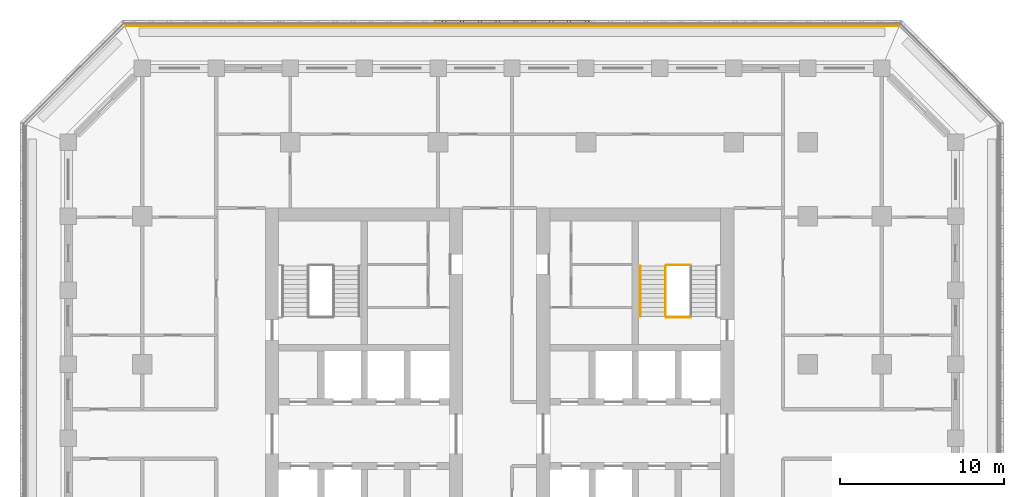
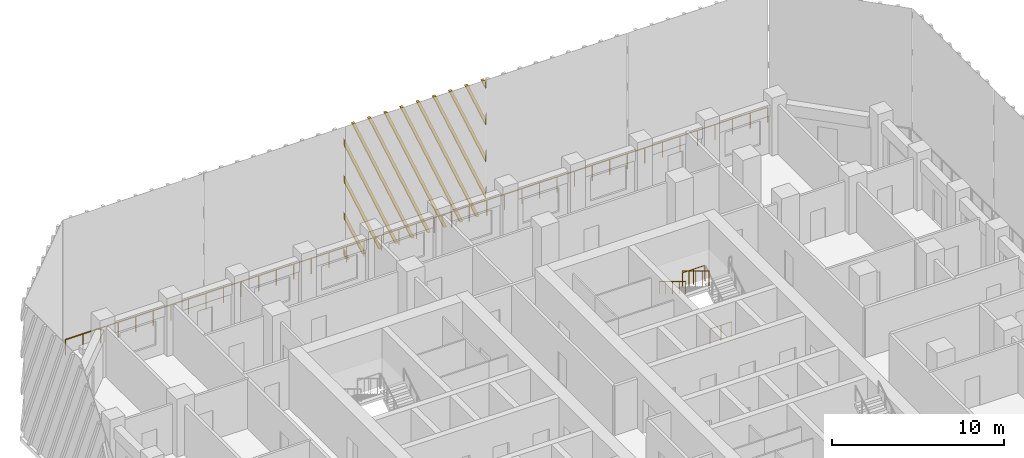
# One storey, part 15 of 17: 5 railings, 1 shading device.
"""IFC4 building model written with IfcOpenShell, lengths in metres."""

from ifc_helpers import new_model, si_unit, direction, frame, origin, origin_2d, place, context, subcontext, project, spatial, polyline, circle, outline, extrude, source, transform, mapped, material, type_object, element, save


model = new_model("IFC4")

# Units and contexts
model_context = context("Model", 3, precision=1e-05, world=origin(), true_north=direction((0.0, 1.0)))
body_context = subcontext(model_context, "Body", "Model", "MODEL_VIEW")
ifc_project = project(units=[si_unit("LENGTHUNIT", "METRE"), si_unit("AREAUNIT", "SQUARE_METRE"), si_unit("VOLUMEUNIT", "CUBIC_METRE"), si_unit("PLANEANGLEUNIT", "RADIAN"), si_unit("MASSUNIT", "GRAM", prefix="KILO")], contexts=[model_context])

# Site, building, storey
site_placement = place(None, origin())
site = spatial("IfcSite", under=ifc_project, at=site_placement, CompositionType="ELEMENT")
building_placement = place(site_placement, origin())
building = spatial("IfcBuilding", under=site, at=building_placement, Name="Corbel Stack Research Tower", CompositionType="ELEMENT")
storey_placement = place(building_placement, frame((0.0, 0.0, 216.10009765625)))
storey = spatial("IfcBuildingStorey", under=building, at=storey_placement, Name="L49", CompositionType="ELEMENT", Elevation=216.10009765625)

# Railings
ifc_material_1 = material(Name="Steel S355", Category="steel")
railing_type_1 = type_object("IfcRailingType", Name="Stair guard 1100", PredefinedType="GUARDRAIL", material=ifc_material_1)
railing_1_placement = place(storey_placement, frame((15.35009765625, 15.030029296875, 2.0498046875)))
element("IfcRailing", 1, at=railing_1_placement, inside=storey, type_object=railing_type_1, Name="L49 ST-E2 stair guard 2", PredefinedType="GUARDRAIL", context=body_context, shape_type="SweptSolid", body=[
    extrude(circle(Radius=0.02392578125, at=origin_2d()), frame((0.0, 0.0, 1.076171875), z_axis=(-1.0, 0.0, 0.0), x_axis=(0.0, -1.0, 0.0)), (0.0, 0.0, 1.0), 1.4501953125),
    extrude(circle(Radius=0.02099609375, at=origin_2d()), origin(), (0.0, 0.0, 1.0), 1.052001953125),
    extrude(circle(Radius=0.02099609375, at=origin_2d()), frame((-0.72509765625, 0.0, 0.0)), (0.0, 0.0, 1.0), 1.052001953125),
    extrude(circle(Radius=0.02099609375, at=origin_2d()), frame((-1.4501953125, 0.0, 0.0)), (0.0, 0.0, 1.0), 1.052001953125),
])
railing_2_placement = place(storey_placement, frame((13.85009765625, 14.97998046875, 2.220703125)))
element("IfcRailing", 2, at=railing_2_placement, inside=storey, type_object=railing_type_1, Name="L49 ST-E2 stair guard 4", PredefinedType="GUARDRAIL", context=body_context, shape_type="SweptSolid", body=[
    extrude(circle(Radius=0.02392578125, at=origin_2d()), frame((0.0, 0.0, 1.076171875), z_axis=(0.0, -0.853666305674, 0.52082035152), x_axis=(1.0, 0.0, 0.0)), (0.0, 0.0, 1.0), 3.608154296875),
    extrude(circle(Radius=0.02099609375, at=origin_2d()), origin(), (0.0, 0.0, 1.0), 1.052001953125),
    extrude(circle(Radius=0.02099609375, at=origin_2d()), frame((0.0, -0.77001953125, 0.4697265625)), (0.0, 0.0, 1.0), 1.052001953125),
    extrude(circle(Radius=0.02099609375, at=origin_2d()), frame((0.0, -1.5400390625, 0.939453125)), (0.0, 0.0, 1.0), 1.052001953125),
    extrude(circle(Radius=0.02099609375, at=origin_2d()), frame((0.0, -2.31005859375, 1.409423828125)), (0.0, 0.0, 1.0), 1.052001953125),
    extrude(circle(Radius=0.02099609375, at=origin_2d()), frame((0.0, -3.080078125, 1.879150390625)), (0.0, 0.0, 1.0), 1.052001953125),
])
railing_3_placement = place(storey_placement, frame((15.35009765625, 11.85009765625, 0.0)))
element("IfcRailing", 3, at=railing_3_placement, inside=storey, type_object=railing_type_1, Name="L49 ST-E2 stair guard 5", PredefinedType="GUARDRAIL", context=body_context, shape_type="SweptSolid", body=[
    extrude(circle(Radius=0.02392578125, at=origin_2d()), frame((0.0, 0.0, 1.076171875), z_axis=(-1.0, 0.0, 0.0), x_axis=(0.0, -1.0, 0.0)), (0.0, 0.0, 1.0), 1.4501953125),
    extrude(circle(Radius=0.02099609375, at=origin_2d()), origin(), (0.0, 0.0, 1.0), 1.052001953125),
    extrude(circle(Radius=0.02099609375, at=origin_2d()), frame((-0.72509765625, 0.0, 0.0)), (0.0, 0.0, 1.0), 1.052001953125),
    extrude(circle(Radius=0.02099609375, at=origin_2d()), frame((-1.4501953125, 0.0, 0.0)), (0.0, 0.0, 1.0), 1.052001953125),
])
ifc_material_2 = material(Name="Steel S355", Category="steel")
railing_type_2 = type_object("IfcRailingType", Name="Stair handrail 900", PredefinedType="HANDRAIL", material=ifc_material_2)
railing_4_placement = place(storey_placement, frame((12.300048828125, 14.97998046875, 2.220703125)))
element("IfcRailing", 4, at=railing_4_placement, inside=storey, type_object=railing_type_2, Name="L49 ST-E2 stair handrail 2", PredefinedType="HANDRAIL", context=body_context, shape_type="SweptSolid", body=[
    extrude(circle(Radius=0.02392578125, at=origin_2d()), frame((0.0, 0.0, 0.8759765625), z_axis=(0.0, -0.853666305674, 0.52082035152), x_axis=(1.0, 0.0, 0.0)), (0.0, 0.0, 1.0), 3.608154296875),
    extrude(circle(Radius=0.02099609375, at=origin_2d()), origin(), (0.0, 0.0, 1.0), 0.851806640625),
    extrude(circle(Radius=0.02099609375, at=origin_2d()), frame((0.0, -0.77001953125, 0.4697265625)), (0.0, 0.0, 1.0), 0.851806640625),
    extrude(circle(Radius=0.02099609375, at=origin_2d()), frame((0.0, -1.5400390625, 0.939453125)), (0.0, 0.0, 1.0), 0.851806640625),
    extrude(circle(Radius=0.02099609375, at=origin_2d()), frame((0.0, -2.31005859375, 1.409423828125)), (0.0, 0.0, 1.0), 0.851806640625),
    extrude(circle(Radius=0.02099609375, at=origin_2d()), frame((0.0, -3.080078125, 1.879150390625)), (0.0, 0.0, 1.0), 0.851806640625),
])
ifc_material_3 = material(Name="Powder-coated steel guard", Category="steel")
railing_type_3 = type_object("IfcRailingType", Name="Steel and glass guard 1100", PredefinedType="GUARDRAIL", material=ifc_material_3)
railing_5_placement = place(storey_placement, frame((28.00537109375, 29.60009765625, 0.0)))
element("IfcRailing", 5, at=railing_5_placement, inside=storey, type_object=railing_type_3, Name="Loggia guard L49 N", PredefinedType="GUARDRAIL", context=body_context, shape_type="SweptSolid", body=[
    extrude(circle(Radius=0.02392578125, at=origin_2d()), frame((0.0, 0.0, 1.076171875), z_axis=(-1.0, 0.0, 0.0), x_axis=(0.0, -1.0, 0.0)), (0.0, 0.0, 1.0), 47.0107421875),
    extrude(circle(Radius=0.02099609375, at=origin_2d()), origin(), (0.0, 0.0, 1.0), 1.052001953125),
    extrude(circle(Radius=0.02099609375, at=origin_2d()), frame((-1.17529296875, 0.0, 0.0)), (0.0, 0.0, 1.0), 1.052001953125),
    extrude(circle(Radius=0.02099609375, at=origin_2d()), frame((-2.3505859375, 0.0, 0.0)), (0.0, 0.0, 1.0), 1.052001953125),
    extrude(circle(Radius=0.02099609375, at=origin_2d()), frame((-3.52587890625, 0.0, 0.0)), (0.0, 0.0, 1.0), 1.052001953125),
    extrude(circle(Radius=0.02099609375, at=origin_2d()), frame((-4.701171875, 0.0, 0.0)), (0.0, 0.0, 1.0), 1.052001953125),
    extrude(circle(Radius=0.02099609375, at=origin_2d()), frame((-5.87646484375, 0.0, 0.0)), (0.0, 0.0, 1.0), 1.052001953125),
    extrude(circle(Radius=0.02099609375, at=origin_2d()), frame((-7.051513671875, 0.0, 0.0)), (0.0, 0.0, 1.0), 1.052001953125),
    extrude(circle(Radius=0.02099609375, at=origin_2d()), frame((-8.226806640625, 0.0, 0.0)), (0.0, 0.0, 1.0), 1.052001953125),
    extrude(circle(Radius=0.02099609375, at=origin_2d()), frame((-9.402099609375, 0.0, 0.0)), (0.0, 0.0, 1.0), 1.052001953125),
    extrude(circle(Radius=0.02099609375, at=origin_2d()), frame((-10.577392578125, 0.0, 0.0)), (0.0, 0.0, 1.0), 1.052001953125),
    extrude(circle(Radius=0.02099609375, at=origin_2d()), frame((-11.752685546875, 0.0, 0.0)), (0.0, 0.0, 1.0), 1.052001953125),
    extrude(circle(Radius=0.02099609375, at=origin_2d()), frame((-12.927978515625, 0.0, 0.0)), (0.0, 0.0, 1.0), 1.052001953125),
    extrude(circle(Radius=0.02099609375, at=origin_2d()), frame((-14.103271484375, 0.0, 0.0)), (0.0, 0.0, 1.0), 1.052001953125),
    extrude(circle(Radius=0.02099609375, at=origin_2d()), frame((-15.278564453125, 0.0, 0.0)), (0.0, 0.0, 1.0), 1.052001953125),
    extrude(circle(Radius=0.02099609375, at=origin_2d()), frame((-16.453857421875, 0.0, 0.0)), (0.0, 0.0, 1.0), 1.052001953125),
    extrude(circle(Radius=0.02099609375, at=origin_2d()), frame((-17.62890625, 0.0, 0.0)), (0.0, 0.0, 1.0), 1.052001953125),
    extrude(circle(Radius=0.02099609375, at=origin_2d()), frame((-18.80419921875, 0.0, 0.0)), (0.0, 0.0, 1.0), 1.052001953125),
    extrude(circle(Radius=0.02099609375, at=origin_2d()), frame((-19.9794921875, 0.0, 0.0)), (0.0, 0.0, 1.0), 1.052001953125),
    extrude(circle(Radius=0.02099609375, at=origin_2d()), frame((-21.15478515625, 0.0, 0.0)), (0.0, 0.0, 1.0), 1.052001953125),
    extrude(circle(Radius=0.02099609375, at=origin_2d()), frame((-22.330078125, 0.0, 0.0)), (0.0, 0.0, 1.0), 1.052001953125),
    extrude(circle(Radius=0.02099609375, at=origin_2d()), frame((-23.50537109375, 0.0, 0.0)), (0.0, 0.0, 1.0), 1.052001953125),
    extrude(circle(Radius=0.02099609375, at=origin_2d()), frame((-24.6806640625, 0.0, 0.0)), (0.0, 0.0, 1.0), 1.052001953125),
    extrude(circle(Radius=0.02099609375, at=origin_2d()), frame((-25.85595703125, 0.0, 0.0)), (0.0, 0.0, 1.0), 1.052001953125),
    extrude(circle(Radius=0.02099609375, at=origin_2d()), frame((-27.03125, 0.0, 0.0)), (0.0, 0.0, 1.0), 1.052001953125),
    extrude(circle(Radius=0.02099609375, at=origin_2d()), frame((-28.20654296875, 0.0, 0.0)), (0.0, 0.0, 1.0), 1.052001953125),
    extrude(circle(Radius=0.02099609375, at=origin_2d()), frame((-29.3818359375, 0.0, 0.0)), (0.0, 0.0, 1.0), 1.052001953125),
    extrude(circle(Radius=0.02099609375, at=origin_2d()), frame((-30.556884765625, 0.0, 0.0)), (0.0, 0.0, 1.0), 1.052001953125),
    extrude(circle(Radius=0.02099609375, at=origin_2d()), frame((-31.732177734375, 0.0, 0.0)), (0.0, 0.0, 1.0), 1.052001953125),
    extrude(circle(Radius=0.02099609375, at=origin_2d()), frame((-32.907470703125, 0.0, 0.0)), (0.0, 0.0, 1.0), 1.052001953125),
    extrude(circle(Radius=0.02099609375, at=origin_2d()), frame((-34.082763671875, 0.0, 0.0)), (0.0, 0.0, 1.0), 1.052001953125),
    extrude(circle(Radius=0.02099609375, at=origin_2d()), frame((-35.258056640625, 0.0, 0.0)), (0.0, 0.0, 1.0), 1.052001953125),
    extrude(circle(Radius=0.02099609375, at=origin_2d()), frame((-36.433349609375, 0.0, 0.0)), (0.0, 0.0, 1.0), 1.052001953125),
    extrude(circle(Radius=0.02099609375, at=origin_2d()), frame((-37.608642578125, 0.0, 0.0)), (0.0, 0.0, 1.0), 1.052001953125),
    extrude(circle(Radius=0.02099609375, at=origin_2d()), frame((-38.783935546875, 0.0, 0.0)), (0.0, 0.0, 1.0), 1.052001953125),
    extrude(circle(Radius=0.02099609375, at=origin_2d()), frame((-39.959228515625, 0.0, 0.0)), (0.0, 0.0, 1.0), 1.052001953125),
    extrude(circle(Radius=0.02099609375, at=origin_2d()), frame((-41.13427734375, 0.0, 0.0)), (0.0, 0.0, 1.0), 1.052001953125),
    extrude(circle(Radius=0.02099609375, at=origin_2d()), frame((-42.3095703125, 0.0, 0.0)), (0.0, 0.0, 1.0), 1.052001953125),
    extrude(circle(Radius=0.02099609375, at=origin_2d()), frame((-43.48486328125, 0.0, 0.0)), (0.0, 0.0, 1.0), 1.052001953125),
    extrude(circle(Radius=0.02099609375, at=origin_2d()), frame((-44.66015625, 0.0, 0.0)), (0.0, 0.0, 1.0), 1.052001953125),
    extrude(circle(Radius=0.02099609375, at=origin_2d()), frame((-45.83544921875, 0.0, 0.0)), (0.0, 0.0, 1.0), 1.052001953125),
    extrude(circle(Radius=0.02099609375, at=origin_2d()), frame((-47.0107421875, 0.0, 0.0)), (0.0, 0.0, 1.0), 1.052001953125),
])

# Shading device
ifc_material_4 = material(Name="Precast terracotta", Category="masonry")
shading_device_type = type_object("IfcShadingDeviceType", Name="Terracotta screen panel", PredefinedType="USERDEFINED", material=ifc_material_4)
shared_shape = source(origin(), body_context, "Body", "SweptSolid", [
    extrude(outline(polyline([(0.26611328125, 9.5), (0.076171875, 9.5), (0.0, 9.317626953125), (0.0, 8.862548828125), (0.26611328125, 9.5)])), frame((0.0, 0.0, 0.0), z_axis=(0.0, -1.0, 0.0), x_axis=(1.0, 0.0, 0.0)), (0.0, 0.0, 1.0), 0.179931640625),
    extrude(outline(polyline([(1.350830078125, 9.5), (1.160888671875, 9.5), (0.0, 6.720458984375), (0.0, 6.265380859375), (1.350830078125, 9.5)])), frame((0.0, 0.0, 0.0), z_axis=(0.0, -1.0, 0.0), x_axis=(1.0, 0.0, 0.0)), (0.0, 0.0, 1.0), 0.179931640625),
    extrude(outline(polyline([(2.435546875, 9.5), (2.24560546875, 9.5), (0.0, 4.123291015625), (0.0, 3.668212890625), (2.435546875, 9.5)])), frame((0.0, 0.0, 0.0), z_axis=(0.0, -1.0, 0.0), x_axis=(1.0, 0.0, 0.0)), (0.0, 0.0, 1.0), 0.179931640625),
    extrude(outline(polyline([(3.520263671875, 9.5), (3.330078125, 9.5), (0.0, 1.526123046875), (0.0, 1.071044921875), (3.520263671875, 9.5)])), frame((0.0, 0.0, 0.0), z_axis=(0.0, -1.0, 0.0), x_axis=(1.0, 0.0, 0.0)), (0.0, 0.0, 1.0), 0.179931640625),
    extrude(outline(polyline([(0.63720703125, 0.0), (4.604736328125, 9.5), (4.414794921875, 9.5), (0.447265625, 0.0), (0.63720703125, 0.0)])), frame((0.0, 0.0, 0.0), z_axis=(0.0, -1.0, 0.0), x_axis=(1.0, 0.0, 0.0)), (0.0, 0.0, 1.0), 0.179931640625),
    extrude(outline(polyline([(1.721923828125, 0.0), (5.689453125, 9.5), (5.49951171875, 9.5), (1.531982421875, 0.0), (1.721923828125, 0.0)])), frame((0.0, 0.0, 0.0), z_axis=(0.0, -1.0, 0.0), x_axis=(1.0, 0.0, 0.0)), (0.0, 0.0, 1.0), 0.179931640625),
    extrude(outline(polyline([(2.806640625, 0.0), (6.774169921875, 9.5), (6.584228515625, 9.5), (2.61669921875, 0.0), (2.806640625, 0.0)])), frame((0.0, 0.0, 0.0), z_axis=(0.0, -1.0, 0.0), x_axis=(1.0, 0.0, 0.0)), (0.0, 0.0, 1.0), 0.179931640625),
    extrude(outline(polyline([(3.891357421875, 0.0), (7.85888671875, 9.5), (7.668701171875, 9.5), (3.701416015625, 0.0), (3.891357421875, 0.0)])), frame((0.0, 0.0, 0.0), z_axis=(0.0, -1.0, 0.0), x_axis=(1.0, 0.0, 0.0)), (0.0, 0.0, 1.0), 0.179931640625),
    extrude(outline(polyline([(4.97607421875, 0.0), (8.943603515625, 9.5), (8.75341796875, 9.5), (4.785888671875, 0.0), (4.97607421875, 0.0)])), frame((0.0, 0.0, 0.0), z_axis=(0.0, -1.0, 0.0), x_axis=(1.0, 0.0, 0.0)), (0.0, 0.0, 1.0), 0.179931640625),
    extrude(outline(polyline([(6.060791015625, 0.0), (9.45556640625, 8.129150390625), (9.45556640625, 8.583984375), (5.87060546875, 0.0), (6.060791015625, 0.0)])), frame((0.0, 0.0, 0.0), z_axis=(0.0, -1.0, 0.0), x_axis=(1.0, 0.0, 0.0)), (0.0, 0.0, 1.0), 0.179931640625),
    extrude(outline(polyline([(7.145263671875, 0.0), (9.45556640625, 5.531982421875), (9.45556640625, 5.98681640625), (6.955322265625, 0.0), (7.145263671875, 0.0)])), frame((0.0, 0.0, 0.0), z_axis=(0.0, -1.0, 0.0), x_axis=(1.0, 0.0, 0.0)), (0.0, 0.0, 1.0), 0.179931640625),
    extrude(outline(polyline([(8.22998046875, 0.0), (9.45556640625, 2.934814453125), (9.45556640625, 3.3896484375), (8.0400390625, 0.0), (8.22998046875, 0.0)])), frame((0.0, 0.0, 0.0), z_axis=(0.0, -1.0, 0.0), x_axis=(1.0, 0.0, 0.0)), (0.0, 0.0, 1.0), 0.179931640625),
    extrude(outline(polyline([(9.314697265625, 0.0), (9.45556640625, 0.337646484375), (9.45556640625, 0.79248046875), (9.124755859375, 0.0), (9.314697265625, 0.0)])), frame((0.0, 0.0, 0.0), z_axis=(0.0, -1.0, 0.0), x_axis=(1.0, 0.0, 0.0)), (0.0, 0.0, 1.0), 0.179931640625),
])
shading_device_placement = place(storey_placement, frame((9.227783203125, 29.75, 0.0), z_axis=(0.0, 0.0, 1.0), x_axis=(-1.0, 0.0, 0.0)))
element("IfcShadingDevice", 6, at=shading_device_placement, inside=storey, type_object=shading_device_type, Name="Terracotta screen L49 N3", ObjectType="SCREEN", PredefinedType="USERDEFINED", context=body_context, shape_type="MappedRepresentation", body=[
    mapped(shared_shape, transform((0.0, 0.0, 0.0))),
])

save(model, "model.ifc")
